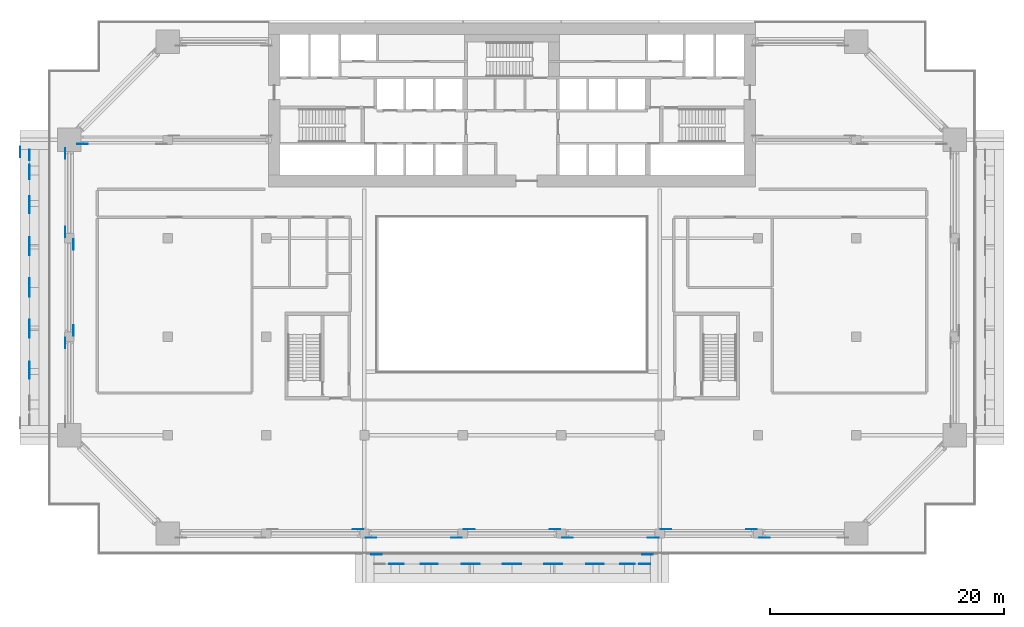
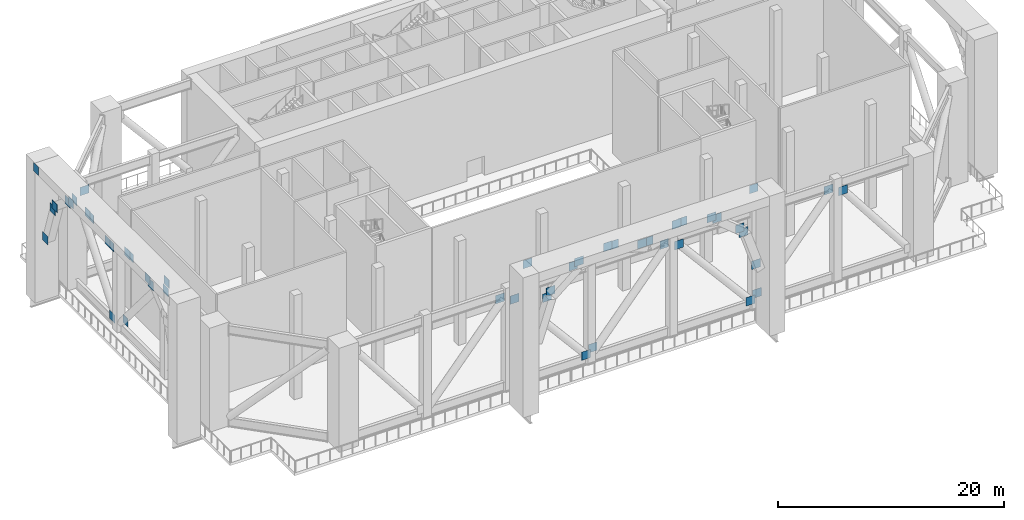
# One storey, part 11 of 19: 47 discrete accessories.
"""IFC4 building model written with IfcOpenShell, lengths in metres."""

from ifc_helpers import new_model, si_unit, direction, frame, origin, origin_2d, place, context, subcontext, project, spatial, rectangle, extrude, element, save


model = new_model("IFC4")

# Units and contexts
model_context = context("Model", 3, precision=1e-05, world=origin(), true_north=direction((0.0, 1.0)))
body_context = subcontext(model_context, "Body", "Model", "MODEL_VIEW")
ifc_project = project(units=[si_unit("LENGTHUNIT", "METRE"), si_unit("AREAUNIT", "SQUARE_METRE"), si_unit("VOLUMEUNIT", "CUBIC_METRE"), si_unit("PLANEANGLEUNIT", "RADIAN"), si_unit("MASSUNIT", "GRAM", prefix="KILO")], contexts=[model_context])

# Site, building, storey
site_placement = place(None, origin())
site = spatial("IfcSite", under=ifc_project, at=site_placement, CompositionType="ELEMENT")
building_placement = place(site_placement, origin())
building = spatial("IfcBuilding", under=site, at=building_placement, Name="Saffron Gate Tower", CompositionType="ELEMENT")
storey_placement = place(building_placement, frame((0.0, 0.0, 84.0)))
storey = spatial("IfcBuildingStorey", under=building, at=storey_placement, Name="L20", CompositionType="ELEMENT", Elevation=84.0)

# Discrete accessories
for number, where, z_axis, x_axis, name in (
    (1, (49.444580078125, 48.0615234375, 9.342529296875), (0.0, 0.0, 1.0), (0.0, 1.0, 0.0), "GUSSET PLATE"),
    (2, (50.155517578125, 56.45458984375, 0.7216796875), (0.0, 0.0, 1.0), (0.0, -1.0, 0.0), "GUSSET PLATE"),
    (3, (50.155517578125, 49.1455078125, 9.348388671875), (0.0, 0.0, 1.0), (0.0, -1.0, 0.0), "GUSSET PLATE"),
    (4, (49.444580078125, 57.538330078125, 0.7275390625), (0.0, 0.0, 1.0), (0.0, 1.0, 0.0), "GUSSET PLATE"),
    (5, (49.444580078125, 64.26171875, 9.342529296875), (0.0, 0.0, 1.0), (0.0, 1.0, 0.0), "GUSSET PLATE"),
    (6, (74.45458984375, 32.155517578125, 9.348388671875), (0.0, 0.0, 1.0), (1.0, 0.0, 0.0), "GUSSET PLATE"),
    (7, (82.8544921875, 31.444580078125, 0.7216796875), (0.0, 0.0, 1.0), (-1.0, 0.0, 0.0), "GUSSET PLATE"),
    (8, (75.54541015625, 31.444580078125, 9.348388671875), (0.0, 0.0, 1.0), (-1.0, 0.0, 0.0), "GUSSET PLATE"),
    (9, (83.9453125, 32.155517578125, 0.7216796875), (0.0, 0.0, 1.0), (1.0, 0.0, 0.0), "GUSSET PLATE"),
    (10, (91.254638671875, 32.155517578125, 9.348388671875), (0.0, 0.0, 1.0), (1.0, 0.0, 0.0), "GUSSET PLATE"),
    (11, (99.654541015625, 31.444580078125, 0.7216796875), (0.0, 0.0, 1.0), (-1.0, 0.0, 0.0), "GUSSET PLATE"),
    (12, (92.345458984375, 31.444580078125, 9.348388671875), (0.0, 0.0, 1.0), (-1.0, 0.0, 0.0), "GUSSET PLATE"),
    (13, (100.745361328125, 32.155517578125, 0.7216796875), (0.0, 0.0, 1.0), (1.0, 0.0, 0.0), "GUSSET PLATE"),
    (14, (108.0546875, 32.155517578125, 9.348388671875), (0.0, 0.0, 1.0), (1.0, 0.0, 0.0), "GUSSET PLATE"),
    (15, (109.138427734375, 31.444580078125, 9.342529296875), (0.0, 0.0, 1.0), (-1.0, 0.0, 0.0), "GUSSET PLATE"),
    (16, (50.9384765625, 65.04443359375, 9.342529296875), (0.0, 0.0, 1.0), (-1.0, 0.0, 0.0), "GUSSET PLATE"),
):
    element("IfcDiscreteAccessory", number, at=place(storey_placement, frame(where, z_axis=z_axis, x_axis=x_axis)), inside=storey, Name=name, ObjectType="GUSSET PLATE", PredefinedType="USERDEFINED", context=body_context, shape_type="SweptSolid", body=[
        extrude(rectangle(XDim=0.89990234375, YDim=0.02001953125, at=origin_2d()), origin(), (0.0, 0.0, 1.0), 0.89990234375),
    ])
for number, where, z_axis, x_axis, name in (
    (17, (77.55517578125, 29.199951171875, 10.19677734375), (0.0, 0.0, 1.0), (1.0, 0.0, 0.0), "EMBEDDED PLATE"),
    (18, (77.92431640625, 29.199951171875, 10.737548828125), (0.0, 0.0, 1.0), (1.0, 0.0, 0.0), "EMBEDDED PLATE"),
    (19, (80.24072265625, 29.199951171875, 12.64892578125), (0.0, 0.0, 1.0), (1.0, 0.0, 0.0), "EMBEDDED PLATE"),
    (20, (80.811279296875, 29.199951171875, 12.919677734375), (0.0, 0.0, 1.0), (1.0, 0.0, 0.0), "EMBEDDED PLATE"),
    (21, (83.771240234375, 29.199951171875, 13.50927734375), (0.0, 0.0, 1.0), (1.0, 0.0, 0.0), "EMBEDDED PLATE"),
    (22, (84.40234375, 29.199951171875, 13.4775390625), (0.0, 0.0, 1.0), (1.0, 0.0, 0.0), "EMBEDDED PLATE"),
    (23, (87.267822265625, 29.199951171875, 12.6015625), (0.0, 0.0, 1.0), (1.0, 0.0, 0.0), "EMBEDDED PLATE"),
    (24, (87.93212890625, 29.199951171875, 12.6015625), (0.0, 0.0, 1.0), (1.0, 0.0, 0.0), "EMBEDDED PLATE"),
    (25, (90.797607421875, 29.199951171875, 13.4775390625), (0.0, 0.0, 1.0), (1.0, 0.0, 0.0), "EMBEDDED PLATE"),
    (26, (91.4287109375, 29.199951171875, 13.50927734375), (0.0, 0.0, 1.0), (1.0, 0.0, 0.0), "EMBEDDED PLATE"),
    (27, (94.388671875, 29.199951171875, 12.919677734375), (0.0, 0.0, 1.0), (1.0, 0.0, 0.0), "EMBEDDED PLATE"),
    (28, (94.959228515625, 29.199951171875, 12.64892578125), (0.0, 0.0, 1.0), (1.0, 0.0, 0.0), "EMBEDDED PLATE"),
    (29, (97.275634765625, 29.199951171875, 10.737548828125), (0.0, 0.0, 1.0), (1.0, 0.0, 0.0), "EMBEDDED PLATE"),
    (30, (97.644775390625, 29.199951171875, 10.19677734375), (0.0, 0.0, 1.0), (1.0, 0.0, 0.0), "EMBEDDED PLATE"),
    (31, (98.9296875, 29.199951171875, 6.28125), (0.0, 0.0, 1.0), (1.0, 0.0, 0.0), "EMBEDDED PLATE"),
    (32, (76.02490234375, 30.0, 13.900146484375), (0.0, 0.0, 1.0), (1.0, 0.0, 0.0), "EMBEDDED PLATE"),
    (33, (99.175048828125, 30.0, 13.900146484375), (0.0, 0.0, 1.0), (1.0, 0.0, 0.0), "EMBEDDED PLATE"),
    (34, (46.39990234375, 45.440673828125, 12.64892578125), (0.0, 0.0, 1.0), (0.0, 1.0, 0.0), "EMBEDDED PLATE"),
    (35, (46.39990234375, 46.01123046875, 12.919677734375), (0.0, 0.0, 1.0), (0.0, 1.0, 0.0), "EMBEDDED PLATE"),
    (36, (46.39990234375, 48.97119140625, 13.50927734375), (0.0, 0.0, 1.0), (0.0, 1.0, 0.0), "EMBEDDED PLATE"),
    (37, (46.39990234375, 49.602294921875, 13.4775390625), (0.0, 0.0, 1.0), (0.0, 1.0, 0.0), "EMBEDDED PLATE"),
    (38, (46.39990234375, 52.468017578125, 12.6015625), (0.0, 0.0, 1.0), (0.0, 1.0, 0.0), "EMBEDDED PLATE"),
    (39, (46.39990234375, 53.132080078125, 12.6015625), (0.0, 0.0, 1.0), (0.0, 1.0, 0.0), "EMBEDDED PLATE"),
    (40, (46.39990234375, 55.997802734375, 13.4775390625), (0.0, 0.0, 1.0), (0.0, 1.0, 0.0), "EMBEDDED PLATE"),
    (41, (46.39990234375, 56.628662109375, 13.50927734375), (0.0, 0.0, 1.0), (0.0, 1.0, 0.0), "EMBEDDED PLATE"),
    (42, (46.39990234375, 59.588623046875, 12.919677734375), (0.0, 0.0, 1.0), (0.0, 1.0, 0.0), "EMBEDDED PLATE"),
    (43, (46.39990234375, 60.1591796875, 12.64892578125), (0.0, 0.0, 1.0), (0.0, 1.0, 0.0), "EMBEDDED PLATE"),
    (44, (46.39990234375, 62.4755859375, 10.737548828125), (0.0, 0.0, 1.0), (0.0, 1.0, 0.0), "EMBEDDED PLATE"),
    (45, (46.39990234375, 62.8447265625, 10.19677734375), (0.0, 0.0, 1.0), (0.0, 1.0, 0.0), "EMBEDDED PLATE"),
    (46, (46.39990234375, 64.1298828125, 6.28125), (0.0, 0.0, 1.0), (0.0, 1.0, 0.0), "EMBEDDED PLATE"),
    (47, (45.60009765625, 64.375, 13.900146484375), (0.0, 0.0, 1.0), (0.0, 1.0, 0.0), "EMBEDDED PLATE"),
):
    element("IfcDiscreteAccessory", number, at=place(storey_placement, frame(where, z_axis=z_axis, x_axis=x_axis)), inside=storey, Name=name, ObjectType="EMBEDDED PLATE", PredefinedType="USERDEFINED", context=body_context, shape_type="SweptSolid", body=[
        extrude(rectangle(XDim=0.89990234375, YDim=0.02001953125, at=origin_2d()), origin(), (0.0, 0.0, 1.0), 0.89990234375),
    ])

save(model, "model.ifc")
